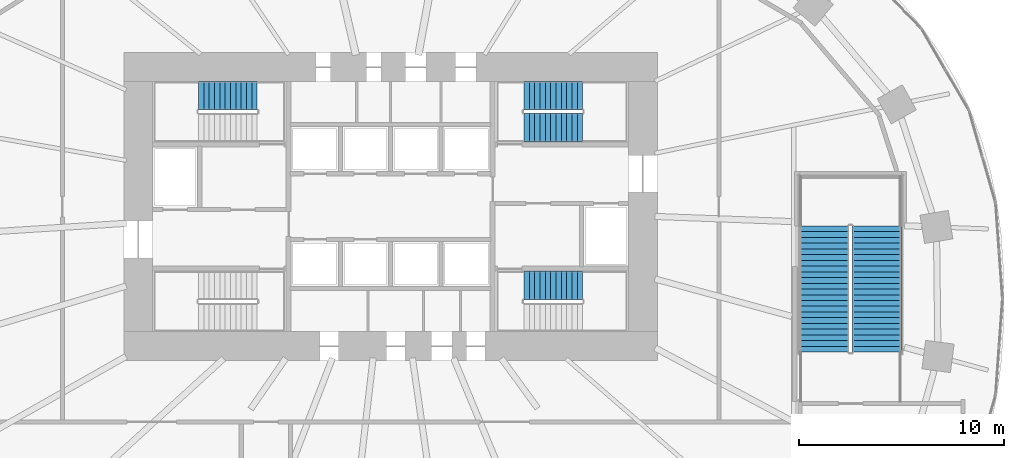
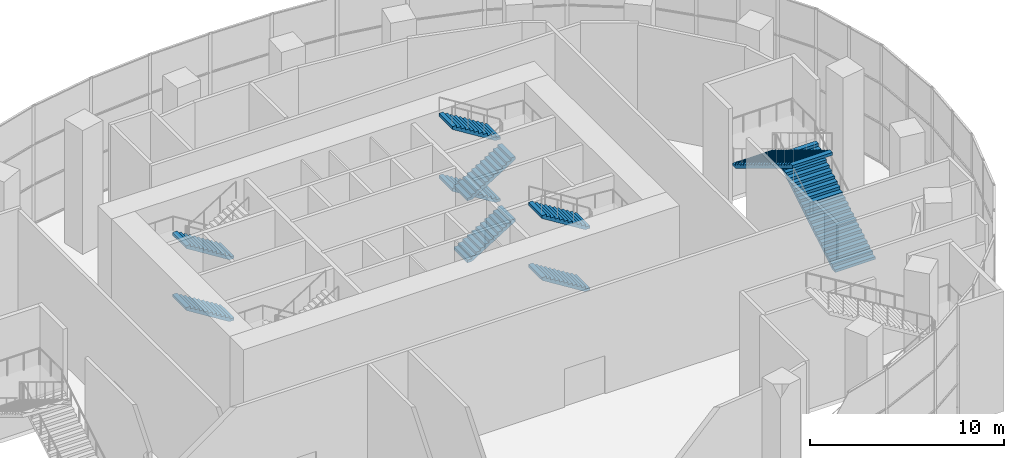
# One storey, part 17 of 22: 10 stair flights, 4 elements without a shape of their own.
"""IFC4 building model written with IfcOpenShell, lengths in metres."""

from ifc_helpers import new_model, si_unit, direction, frame, origin, place, context, subcontext, project, spatial, polyline, outline, extrude, material, type_object, element, aggregate, save


model = new_model("IFC4")

# Units and contexts
model_context = context("Model", 3, precision=1e-05, world=origin(), true_north=direction((0.0, 1.0)))
body_context = subcontext(model_context, "Body", "Model", "MODEL_VIEW")
ifc_project = project(units=[si_unit("LENGTHUNIT", "METRE"), si_unit("AREAUNIT", "SQUARE_METRE"), si_unit("VOLUMEUNIT", "CUBIC_METRE"), si_unit("PLANEANGLEUNIT", "RADIAN"), si_unit("MASSUNIT", "GRAM", prefix="KILO")], contexts=[model_context])

# Site, building, storey
site_placement = place(None, origin())
site = spatial("IfcSite", under=ifc_project, at=site_placement, CompositionType="ELEMENT")
building_placement = place(site_placement, origin())
building = spatial("IfcBuilding", under=site, at=building_placement, Name="Rubra Terraces Tower", CompositionType="ELEMENT")
storey_placement = place(building_placement, frame((0.0, 0.0, 7.199951171875)))
storey = spatial("IfcBuildingStorey", under=building, at=storey_placement, Name="L01", CompositionType="ELEMENT", Elevation=7.199951171875)

# Stair, stair flights
ifc_material_1 = material(Name="Concrete C40", Category="concrete")
stair_type_1 = type_object("IfcStairType", Name="Core stair 1400", PredefinedType="HALF_TURN_STAIR", material=ifc_material_1)
stair_1_placement = place(storey_placement, origin())
stair_1 = element("IfcStair", 1, at=stair_1_placement, inside=storey, type_object=stair_type_1, Name="L01 Exit stair S2", PredefinedType="HALF_TURN_STAIR")
stair_flight_type_1 = type_object("IfcStairFlightType", Name="Core stair flight 1400", PredefinedType="STRAIGHT", material=ifc_material_1)
stair_flight_1_placement = place(storey_placement, frame((-6.5, 9.89990234375, 0.0), z_axis=(0.0, 0.0, 1.0), x_axis=(-1.0, 0.0, 0.0)))
stair_flight_1 = element("IfcStairFlight", 2, at=stair_flight_1_placement, type_object=stair_flight_type_1, Name="S2 flight 1", NumberOfRisers=12, NumberOfTreads=11, PredefinedType="STRAIGHT", RiserHeight=0.1625, TreadLength=0.26, context=body_context, shape_type="SweptSolid", body=[
    extrude(outline(polyline([(0.0, 0.0), (0.0, 0.16259765625), (0.260009765625, 0.16259765625), (0.260009765625, 0.324951171875), (0.52001953125, 0.324951171875), (0.52001953125, 0.487548828125), (0.780029296875, 0.487548828125), (0.780029296875, 0.64990234375), (1.0400390625, 0.64990234375), (1.0400390625, 0.8125), (1.300048828125, 0.8125), (1.300048828125, 0.97509765625), (1.56005859375, 0.97509765625), (1.56005859375, 1.137451171875), (1.820068359375, 1.137451171875), (1.820068359375, 1.300048828125), (2.080078125, 1.300048828125), (2.080078125, 1.46240234375), (2.340087890625, 1.46240234375), (2.340087890625, 1.625), (2.60009765625, 1.625), (2.60009765625, 1.78759765625), (2.860107421875, 1.78759765625), (2.860107421875, 1.949951171875), (2.860107421875, 1.61083984375), (0.28271484375, 0.0), (0.0, 0.0)])), frame((0.0, 0.699951171875, 0.0), z_axis=(0.0, -1.0, 0.0), x_axis=(1.0, 0.0, 0.0)), (0.0, 0.0, 1.0), 1.39990234375),
])
stair_flight_2_placement = place(storey_placement, frame((-6.5, 9.89990234375, 3.900146484375), z_axis=(0.0, 0.0, 1.0), x_axis=(-1.0, 0.0, 0.0)))
stair_flight_2 = element("IfcStairFlight", 3, at=stair_flight_2_placement, type_object=stair_flight_type_1, Name="S2 flight 3", NumberOfRisers=12, NumberOfTreads=11, PredefinedType="STRAIGHT", RiserHeight=0.1625, TreadLength=0.26, context=body_context, shape_type="SweptSolid", body=[
    extrude(outline(polyline([(0.0, 0.0), (0.0, 0.16259765625), (0.260009765625, 0.16259765625), (0.260009765625, 0.324951171875), (0.52001953125, 0.324951171875), (0.52001953125, 0.487548828125), (0.780029296875, 0.487548828125), (0.780029296875, 0.64990234375), (1.0400390625, 0.64990234375), (1.0400390625, 0.8125), (1.300048828125, 0.8125), (1.300048828125, 0.97509765625), (1.56005859375, 0.97509765625), (1.56005859375, 1.137451171875), (1.820068359375, 1.137451171875), (1.820068359375, 1.300048828125), (2.080078125, 1.300048828125), (2.080078125, 1.46240234375), (2.340087890625, 1.46240234375), (2.340087890625, 1.625), (2.60009765625, 1.625), (2.60009765625, 1.78759765625), (2.860107421875, 1.78759765625), (2.860107421875, 1.949951171875), (2.860107421875, 1.61083984375), (0.28271484375, 0.0), (0.0, 0.0)])), frame((0.0, 0.699951171875, 0.0), z_axis=(0.0, -1.0, 0.0), x_axis=(1.0, 0.0, 0.0)), (0.0, 0.0, 1.0), 1.39990234375),
])
aggregate(stair_1, [stair_flight_1, stair_flight_2])

stair_2_placement = place(storey_placement, origin())
stair_2 = element("IfcStair", 4, at=stair_2_placement, inside=storey, type_object=stair_type_1, Name="L01 Exit stair S3", PredefinedType="HALF_TURN_STAIR")
stair_flight_3_placement = place(storey_placement, frame((6.5, 8.35009765625, 0.0), z_axis=(0.0, 0.0, 1.0), x_axis=(1.0, 0.0, 0.0)))
stair_flight_3 = element("IfcStairFlight", 5, at=stair_flight_3_placement, type_object=stair_flight_type_1, Name="S3 flight 1", NumberOfRisers=12, NumberOfTreads=11, PredefinedType="STRAIGHT", RiserHeight=0.1625, TreadLength=0.26, context=body_context, shape_type="SweptSolid", body=[
    extrude(outline(polyline([(0.0, 0.0), (0.0, 0.16259765625), (0.260009765625, 0.16259765625), (0.260009765625, 0.324951171875), (0.52001953125, 0.324951171875), (0.52001953125, 0.487548828125), (0.780029296875, 0.487548828125), (0.780029296875, 0.64990234375), (1.0400390625, 0.64990234375), (1.0400390625, 0.8125), (1.300048828125, 0.8125), (1.300048828125, 0.97509765625), (1.56005859375, 0.97509765625), (1.56005859375, 1.137451171875), (1.820068359375, 1.137451171875), (1.820068359375, 1.300048828125), (2.080078125, 1.300048828125), (2.080078125, 1.46240234375), (2.340087890625, 1.46240234375), (2.340087890625, 1.625), (2.60009765625, 1.625), (2.60009765625, 1.78759765625), (2.860107421875, 1.78759765625), (2.860107421875, 1.949951171875), (2.860107421875, 1.61083984375), (0.28271484375, 0.0), (0.0, 0.0)])), frame((0.0, 0.699951171875, 0.0), z_axis=(0.0, -1.0, 0.0), x_axis=(1.0, 0.0, 0.0)), (0.0, 0.0, 1.0), 1.39990234375),
])
stair_flight_4_placement = place(storey_placement, frame((9.360107421875, 9.89990234375, 1.949951171875), z_axis=(0.0, 0.0, 1.0), x_axis=(-1.0, 0.0, 0.0)))
stair_flight_4 = element("IfcStairFlight", 6, at=stair_flight_4_placement, type_object=stair_flight_type_1, Name="S3 flight 2", NumberOfRisers=12, NumberOfTreads=11, PredefinedType="STRAIGHT", RiserHeight=0.1625, TreadLength=0.26, context=body_context, shape_type="SweptSolid", body=[
    extrude(outline(polyline([(0.0, 0.0), (0.0, 0.16259765625), (0.260009765625, 0.16259765625), (0.260009765625, 0.324951171875), (0.52001953125, 0.324951171875), (0.52001953125, 0.487548828125), (0.780029296875, 0.487548828125), (0.780029296875, 0.64990234375), (1.0400390625, 0.64990234375), (1.0400390625, 0.8125), (1.300048828125, 0.8125), (1.300048828125, 0.97509765625), (1.56005859375, 0.97509765625), (1.56005859375, 1.137451171875), (1.820068359375, 1.137451171875), (1.820068359375, 1.300048828125), (2.080078125, 1.300048828125), (2.080078125, 1.46240234375), (2.340087890625, 1.46240234375), (2.340087890625, 1.625), (2.60009765625, 1.625), (2.60009765625, 1.78759765625), (2.860107421875, 1.78759765625), (2.860107421875, 1.949951171875), (2.860107421875, 1.61083984375), (0.28271484375, 0.0), (0.0, 0.0)])), frame((0.0, 0.699951171875, 0.0), z_axis=(0.0, -1.0, 0.0), x_axis=(1.0, 0.0, 0.0)), (0.0, 0.0, 1.0), 1.39990234375),
])
stair_flight_5_placement = place(storey_placement, frame((6.5, 8.35009765625, 3.900146484375), z_axis=(0.0, 0.0, 1.0), x_axis=(1.0, 0.0, 0.0)))
stair_flight_5 = element("IfcStairFlight", 7, at=stair_flight_5_placement, type_object=stair_flight_type_1, Name="S3 flight 3", NumberOfRisers=12, NumberOfTreads=11, PredefinedType="STRAIGHT", RiserHeight=0.1625, TreadLength=0.26, context=body_context, shape_type="SweptSolid", body=[
    extrude(outline(polyline([(0.0, 0.0), (0.0, 0.16259765625), (0.260009765625, 0.16259765625), (0.260009765625, 0.324951171875), (0.52001953125, 0.324951171875), (0.52001953125, 0.487548828125), (0.780029296875, 0.487548828125), (0.780029296875, 0.64990234375), (1.0400390625, 0.64990234375), (1.0400390625, 0.8125), (1.300048828125, 0.8125), (1.300048828125, 0.97509765625), (1.56005859375, 0.97509765625), (1.56005859375, 1.137451171875), (1.820068359375, 1.137451171875), (1.820068359375, 1.300048828125), (2.080078125, 1.300048828125), (2.080078125, 1.46240234375), (2.340087890625, 1.46240234375), (2.340087890625, 1.625), (2.60009765625, 1.625), (2.60009765625, 1.78759765625), (2.860107421875, 1.78759765625), (2.860107421875, 1.949951171875), (2.860107421875, 1.61083984375), (0.28271484375, 0.0), (0.0, 0.0)])), frame((0.0, 0.699951171875, 0.0), z_axis=(0.0, -1.0, 0.0), x_axis=(1.0, 0.0, 0.0)), (0.0, 0.0, 1.0), 1.39990234375),
])
stair_flight_6_placement = place(storey_placement, frame((9.360107421875, 9.89990234375, 5.85009765625), z_axis=(0.0, 0.0, 1.0), x_axis=(-1.0, 0.0, 0.0)))
stair_flight_6 = element("IfcStairFlight", 8, at=stair_flight_6_placement, type_object=stair_flight_type_1, Name="S3 flight 4", NumberOfRisers=12, NumberOfTreads=11, PredefinedType="STRAIGHT", RiserHeight=0.1625, TreadLength=0.26, context=body_context, shape_type="SweptSolid", body=[
    extrude(outline(polyline([(0.0, 0.0), (0.0, 0.16259765625), (0.260009765625, 0.16259765625), (0.260009765625, 0.324951171875), (0.52001953125, 0.324951171875), (0.52001953125, 0.487548828125), (0.780029296875, 0.487548828125), (0.780029296875, 0.64990234375), (1.0400390625, 0.64990234375), (1.0400390625, 0.8125), (1.300048828125, 0.8125), (1.300048828125, 0.97509765625), (1.56005859375, 0.97509765625), (1.56005859375, 1.137451171875), (1.820068359375, 1.137451171875), (1.820068359375, 1.300048828125), (2.080078125, 1.300048828125), (2.080078125, 1.46240234375), (2.340087890625, 1.46240234375), (2.340087890625, 1.625), (2.60009765625, 1.625), (2.60009765625, 1.78759765625), (2.860107421875, 1.78759765625), (2.860107421875, 1.949951171875), (2.860107421875, 1.61083984375), (0.28271484375, 0.0), (0.0, 0.0)])), frame((0.0, 0.699951171875, 0.0), z_axis=(0.0, -1.0, 0.0), x_axis=(1.0, 0.0, 0.0)), (0.0, 0.0, 1.0), 1.39990234375),
])
aggregate(stair_2, [stair_flight_3, stair_flight_4, stair_flight_5, stair_flight_6])

stair_3_placement = place(storey_placement, origin())
stair_3 = element("IfcStair", 9, at=stair_3_placement, inside=storey, type_object=stair_type_1, Name="L01 Exit stair S4", PredefinedType="HALF_TURN_STAIR")
stair_flight_7_placement = place(storey_placement, frame((9.360107421875, 0.64990234375, 1.949951171875), z_axis=(0.0, 0.0, 1.0), x_axis=(-1.0, 0.0, 0.0)))
stair_flight_7 = element("IfcStairFlight", 10, at=stair_flight_7_placement, type_object=stair_flight_type_1, Name="S4 flight 2", NumberOfRisers=12, NumberOfTreads=11, PredefinedType="STRAIGHT", RiserHeight=0.1625, TreadLength=0.26, context=body_context, shape_type="SweptSolid", body=[
    extrude(outline(polyline([(0.0, 0.0), (0.0, 0.16259765625), (0.260009765625, 0.16259765625), (0.260009765625, 0.324951171875), (0.52001953125, 0.324951171875), (0.52001953125, 0.487548828125), (0.780029296875, 0.487548828125), (0.780029296875, 0.64990234375), (1.0400390625, 0.64990234375), (1.0400390625, 0.8125), (1.300048828125, 0.8125), (1.300048828125, 0.97509765625), (1.56005859375, 0.97509765625), (1.56005859375, 1.137451171875), (1.820068359375, 1.137451171875), (1.820068359375, 1.300048828125), (2.080078125, 1.300048828125), (2.080078125, 1.46240234375), (2.340087890625, 1.46240234375), (2.340087890625, 1.625), (2.60009765625, 1.625), (2.60009765625, 1.78759765625), (2.860107421875, 1.78759765625), (2.860107421875, 1.949951171875), (2.860107421875, 1.61083984375), (0.28271484375, 0.0), (0.0, 0.0)])), frame((0.0, 0.699951171875, 0.0), z_axis=(0.0, -1.0, 0.0), x_axis=(1.0, 0.0, 0.0)), (0.0, 0.0, 1.0), 1.39990234375),
])
stair_flight_8_placement = place(storey_placement, frame((9.360107421875, 0.64990234375, 5.85009765625), z_axis=(0.0, 0.0, 1.0), x_axis=(-1.0, 0.0, 0.0)))
stair_flight_8 = element("IfcStairFlight", 11, at=stair_flight_8_placement, type_object=stair_flight_type_1, Name="S4 flight 4", NumberOfRisers=12, NumberOfTreads=11, PredefinedType="STRAIGHT", RiserHeight=0.1625, TreadLength=0.26, context=body_context, shape_type="SweptSolid", body=[
    extrude(outline(polyline([(0.0, 0.0), (0.0, 0.16259765625), (0.260009765625, 0.16259765625), (0.260009765625, 0.324951171875), (0.52001953125, 0.324951171875), (0.52001953125, 0.487548828125), (0.780029296875, 0.487548828125), (0.780029296875, 0.64990234375), (1.0400390625, 0.64990234375), (1.0400390625, 0.8125), (1.300048828125, 0.8125), (1.300048828125, 0.97509765625), (1.56005859375, 0.97509765625), (1.56005859375, 1.137451171875), (1.820068359375, 1.137451171875), (1.820068359375, 1.300048828125), (2.080078125, 1.300048828125), (2.080078125, 1.46240234375), (2.340087890625, 1.46240234375), (2.340087890625, 1.625), (2.60009765625, 1.625), (2.60009765625, 1.78759765625), (2.860107421875, 1.78759765625), (2.860107421875, 1.949951171875), (2.860107421875, 1.61083984375), (0.28271484375, 0.0), (0.0, 0.0)])), frame((0.0, 0.699951171875, 0.0), z_axis=(0.0, -1.0, 0.0), x_axis=(1.0, 0.0, 0.0)), (0.0, 0.0, 1.0), 1.39990234375),
])
aggregate(stair_3, [stair_flight_7, stair_flight_8])

ifc_material_2 = material(Name="Concrete C40/50", Category="concrete")
stair_type_2 = type_object("IfcStairType", Name="Public stair", PredefinedType="HALF_TURN_STAIR", material=ifc_material_2)
stair_4_placement = place(storey_placement, origin())
stair_4 = element("IfcStair", 12, at=stair_4_placement, inside=storey, type_object=stair_type_2, Name="L01 public stair PS2", PredefinedType="HALF_TURN_STAIR")
stair_flight_type_2 = type_object("IfcStairFlightType", Name="Public stair flight 2400", PredefinedType="STRAIGHT", material=ifc_material_2)
stair_flight_9_placement = place(storey_placement, frame((23.699951171875, -2.60009765625, 0.0), z_axis=(0.0, 0.0, 1.0), x_axis=(0.0, 1.0, 0.0)))
stair_flight_9 = element("IfcStairFlight", 13, at=stair_flight_9_placement, type_object=stair_flight_type_2, Name="PS2 flight 1", NumberOfRisers=23, NumberOfTreads=22, PredefinedType="STRAIGHT", RiserHeight=0.169565217, TreadLength=0.28, context=body_context, shape_type="SweptSolid", body=[
    extrude(outline(polyline([(0.0, 0.0), (0.0, 0.169677734375), (0.280029296875, 0.169677734375), (0.280029296875, 0.339111328125), (0.56005859375, 0.339111328125), (0.56005859375, 0.5087890625), (0.840087890625, 0.5087890625), (0.840087890625, 0.67822265625), (1.1201171875, 0.67822265625), (1.1201171875, 0.847900390625), (1.39990234375, 0.847900390625), (1.39990234375, 1.017333984375), (1.679931640625, 1.017333984375), (1.679931640625, 1.18701171875), (1.9599609375, 1.18701171875), (1.9599609375, 1.3564453125), (2.239990234375, 1.3564453125), (2.239990234375, 1.526123046875), (2.52001953125, 1.526123046875), (2.52001953125, 1.695556640625), (2.800048828125, 1.695556640625), (2.800048828125, 1.865234375), (3.080078125, 1.865234375), (3.080078125, 2.03466796875), (3.360107421875, 2.03466796875), (3.360107421875, 2.204345703125), (3.639892578125, 2.204345703125), (3.639892578125, 2.3740234375), (3.919921875, 2.3740234375), (3.919921875, 2.54345703125), (4.199951171875, 2.54345703125), (4.199951171875, 2.713134765625), (4.47998046875, 2.713134765625), (4.47998046875, 2.882568359375), (4.760009765625, 2.882568359375), (4.760009765625, 3.05224609375), (5.0400390625, 3.05224609375), (5.0400390625, 3.2216796875), (5.320068359375, 3.2216796875), (5.320068359375, 3.391357421875), (5.60009765625, 3.391357421875), (5.60009765625, 3.560791015625), (5.8798828125, 3.560791015625), (5.8798828125, 3.73046875), (6.159912109375, 3.73046875), (6.159912109375, 3.89990234375), (6.159912109375, 3.55517578125), (0.289306640625, 0.0), (0.0, 0.0)])), frame((0.0, 1.199951171875, 0.0), z_axis=(0.0, -1.0, 0.0), x_axis=(1.0, 0.0, 0.0)), (0.0, 0.0, 1.0), 2.39990234375),
])
stair_flight_10_placement = place(storey_placement, frame((21.14990234375, 3.56005859375, 3.900146484375), z_axis=(0.0, 0.0, 1.0), x_axis=(0.0, -1.0, 0.0)))
stair_flight_10 = element("IfcStairFlight", 14, at=stair_flight_10_placement, type_object=stair_flight_type_2, Name="PS2 flight 2", NumberOfRisers=23, NumberOfTreads=22, PredefinedType="STRAIGHT", RiserHeight=0.169565217, TreadLength=0.28, context=body_context, shape_type="SweptSolid", body=[
    extrude(outline(polyline([(0.0, 0.0), (0.0, 0.169677734375), (0.280029296875, 0.169677734375), (0.280029296875, 0.339111328125), (0.56005859375, 0.339111328125), (0.56005859375, 0.5087890625), (0.840087890625, 0.5087890625), (0.840087890625, 0.67822265625), (1.1201171875, 0.67822265625), (1.1201171875, 0.847900390625), (1.39990234375, 0.847900390625), (1.39990234375, 1.017333984375), (1.679931640625, 1.017333984375), (1.679931640625, 1.18701171875), (1.9599609375, 1.18701171875), (1.9599609375, 1.3564453125), (2.239990234375, 1.3564453125), (2.239990234375, 1.526123046875), (2.52001953125, 1.526123046875), (2.52001953125, 1.695556640625), (2.800048828125, 1.695556640625), (2.800048828125, 1.865234375), (3.080078125, 1.865234375), (3.080078125, 2.03466796875), (3.360107421875, 2.03466796875), (3.360107421875, 2.204345703125), (3.639892578125, 2.204345703125), (3.639892578125, 2.3740234375), (3.919921875, 2.3740234375), (3.919921875, 2.54345703125), (4.199951171875, 2.54345703125), (4.199951171875, 2.713134765625), (4.47998046875, 2.713134765625), (4.47998046875, 2.882568359375), (4.760009765625, 2.882568359375), (4.760009765625, 3.05224609375), (5.0400390625, 3.05224609375), (5.0400390625, 3.2216796875), (5.320068359375, 3.2216796875), (5.320068359375, 3.391357421875), (5.60009765625, 3.391357421875), (5.60009765625, 3.560791015625), (5.8798828125, 3.560791015625), (5.8798828125, 3.73046875), (6.159912109375, 3.73046875), (6.159912109375, 3.89990234375), (6.159912109375, 3.55517578125), (0.289306640625, 0.0), (0.0, 0.0)])), frame((0.0, 1.199951171875, 0.0), z_axis=(0.0, -1.0, 0.0), x_axis=(1.0, 0.0, 0.0)), (0.0, 0.0, 1.0), 2.39990234375),
])
aggregate(stair_4, [stair_flight_9, stair_flight_10])

save(model, "model.ifc")
